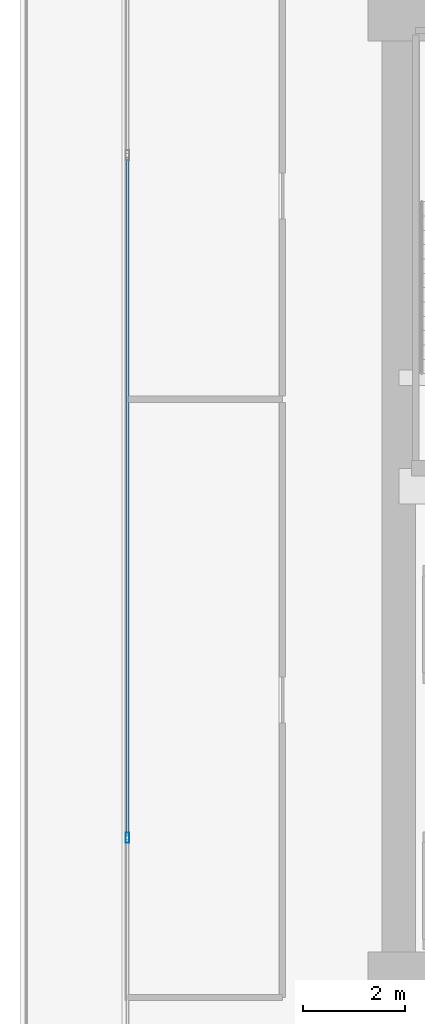
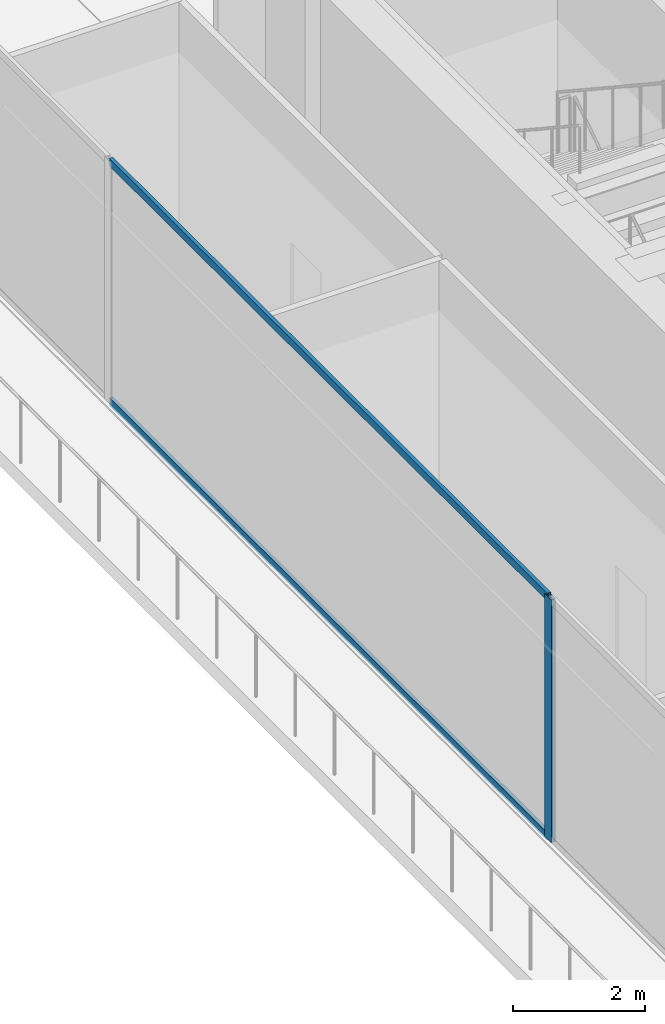
# One storey, part 6 of 33: 3 members, 1 element without a shape of its own.
"""IFC4 building model written with IfcOpenShell, lengths in metres."""

import ifcopenshell
import ifcopenshell.guid

model = None  # the IFC model being written
_history = None  # IfcOwnerHistory: only IFC2X3 demands one
_inside = {}  # id of a spatial element -> (the spatial element, [elements in it])
_under = {}  # id of a project, library or spatial element -> (it, [spatial elements below it])
_declared = {}  # id of a project -> (the project, [libraries it declares])
_typed = {}  # id of a type object -> (the type object, [elements of that type])
_made_of = {}  # id of a material, layer set ... -> (it, [elements and type objects made of it])


def new_model(schema):
    """Start an empty IFC model of exactly this schema.

    Asked for "IFC4X3", IfcOpenShell would pick the latest addendum, in which some entities
    have other attributes; the version numbers below select the first issue.
    IFC2X3 requires an IfcOwnerHistory on every rooted entity: one is made here for all.
    """
    global model, _history
    if schema == "IFC4X3":
        model = ifcopenshell.file(schema_version=(4, 3, 0, 0))
    else:
        model = ifcopenshell.file(schema=schema)
    _inside.clear()
    _under.clear()
    _declared.clear()
    _typed.clear()
    _made_of.clear()
    _history = None
    if model.schema == "IFC2X3":
        org = make("IfcOrganization", Name="unknown")
        user = make(
            "IfcPersonAndOrganization",
            ThePerson=make("IfcPerson", FamilyName="unknown"),
            TheOrganization=org,
        )
        app = make(
            "IfcApplication",
            ApplicationDeveloper=org,
            Version="unknown",
            ApplicationFullName="unknown",
            ApplicationIdentifier="unknown",
        )
        _history = make(
            "IfcOwnerHistory",
            OwningUser=user,
            OwningApplication=app,
            ChangeAction="ADDED",
            CreationDate=0,
        )
    return model


def make(cls, **values):
    """One entity of the class cls with the attributes given. An attribute that is None is left unset."""
    return model.create_entity(
        cls, **{name: value for name, value in values.items() if value is not None}
    )


def rooted(cls, **values):
    """An entity with a GlobalId (a new one), such as an element, a storey or a relation."""
    return make(cls, GlobalId=ifcopenshell.guid.new(), OwnerHistory=_history, **values)


def si_unit(unit_type, name, prefix=None):
    """IfcSIUnit, for example si_unit("LENGTHUNIT", "METRE", prefix="MILLI")."""
    return make("IfcSIUnit", UnitType=unit_type, Prefix=prefix, Name=name)


def assignment(units):
    """IfcUnitAssignment: the units of a project."""
    return None if units is None else make("IfcUnitAssignment", Units=units)


def point(xyz):
    """IfcCartesianPoint."""
    return None if xyz is None else make("IfcCartesianPoint", Coordinates=xyz)


def direction(xyz):
    """IfcDirection."""
    return None if xyz is None else make("IfcDirection", DirectionRatios=xyz)


def frame(location, z_axis=None, x_axis=None):
    """IfcAxis2Placement3D, a coordinate frame: its origin and axes. An axis left out is left unset."""
    return make(
        "IfcAxis2Placement3D",
        Location=point(location),
        Axis=direction(z_axis),
        RefDirection=direction(x_axis),
    )


def frame_2d(location, x_axis=None):
    """IfcAxis2Placement2D, a coordinate frame in the plane: its origin and x axis."""
    return make(
        "IfcAxis2Placement2D", Location=point(location), RefDirection=direction(x_axis)
    )


def origin():
    """The frame at (0, 0, 0) with its axes left unset."""
    return frame((0.0, 0.0, 0.0))


def origin_2d():
    """The frame at (0, 0) in the plane with its x axis left unset."""
    return frame_2d((0.0, 0.0))


def place(relative_to, where):
    """IfcLocalPlacement: puts the frame where relative to a parent placement (None: the world)."""
    return make(
        "IfcLocalPlacement", PlacementRelTo=relative_to, RelativePlacement=where
    )


def context(
    kind, dimensions, precision=None, world=None, true_north=None, identifier=None
):
    """IfcGeometricRepresentationContext, for example the 3D "Model" context."""
    return make(
        "IfcGeometricRepresentationContext",
        ContextIdentifier=identifier,
        ContextType=kind,
        CoordinateSpaceDimension=dimensions,
        Precision=precision,
        WorldCoordinateSystem=world,
        TrueNorth=true_north,
    )


def subcontext(parent, identifier, kind, view, scale=None):
    """IfcGeometricRepresentationSubContext, for example "Body" below "Model"."""
    return make(
        "IfcGeometricRepresentationSubContext",
        ContextIdentifier=identifier,
        ContextType=kind,
        ParentContext=parent,
        TargetScale=scale,
        TargetView=view,
    )


def project(units=None, contexts=None):
    """IfcProject with its units and contexts."""
    return rooted(
        "IfcProject",
        Name="project",
        RepresentationContexts=contexts,
        UnitsInContext=assignment(units),
    )


def spatial(cls, under=None, at=None, **own):
    """A site, building, storey or space (cls), placed at a placement, below another one or the project."""
    s = rooted(cls, ObjectPlacement=at, **own)
    if under is not None:
        _under.setdefault(under.id(), (under, []))[1].append(s)
    return s


def profile(cls, at=None, kind="AREA", **sizes):
    """A parametric profile (cls). Its sizes go by their IFC names, for example OverallWidth=200.0."""
    return make(cls, ProfileType=kind, Position=at, **sizes)


def hollow_rectangle(**sizes):
    """IfcRectangleHollowProfileDef."""
    return profile("IfcRectangleHollowProfileDef", **sizes)


def extrude(swept, where, along, depth):
    """IfcExtrudedAreaSolid: the profile swept, set in the frame where, extruded along a direction by depth."""
    return make(
        "IfcExtrudedAreaSolid",
        SweptArea=swept,
        Position=where,
        ExtrudedDirection=direction(along),
        Depth=depth,
    )


def shape(context_of_items, identifier, shape_type, items):
    """IfcShapeRepresentation: the items that make up one representation, for example the "Body"."""
    return make(
        "IfcShapeRepresentation",
        ContextOfItems=context_of_items,
        RepresentationIdentifier=identifier,
        RepresentationType=shape_type,
        Items=items,
    )


def source(mapping_origin, context_of_items, identifier, shape_type, items):
    """IfcRepresentationMap: a shape defined once, which mapped items show again and again."""
    return make(
        "IfcRepresentationMap",
        MappingOrigin=mapping_origin,
        MappedRepresentation=shape(context_of_items, identifier, shape_type, items),
    )


def transform(
    local_origin,
    x_axis=None,
    y_axis=None,
    z_axis=None,
    scale=None,
    scale2=None,
    scale3=None,
    uniform=True,
):
    """IfcCartesianTransformationOperator3D, or its non-uniform kind. x_axis, y_axis, z_axis: its Axis1, 2, 3."""
    if uniform:
        return make(
            "IfcCartesianTransformationOperator3D",
            Axis1=direction(x_axis),
            Axis2=direction(y_axis),
            LocalOrigin=point(local_origin),
            Scale=scale,
            Axis3=direction(z_axis),
        )
    return make(
        "IfcCartesianTransformationOperator3DnonUniform",
        Axis1=direction(x_axis),
        Axis2=direction(y_axis),
        LocalOrigin=point(local_origin),
        Scale=scale,
        Axis3=direction(z_axis),
        Scale2=scale2,
        Scale3=scale3,
    )


def mapped(mapping_source, mapping_target):
    """IfcMappedItem: shows the shape of a source again, moved by a transform."""
    return make(
        "IfcMappedItem", MappingSource=mapping_source, MappingTarget=mapping_target
    )


def material(Name=None, Category=None):
    """IfcMaterial."""
    return make("IfcMaterial", Name=Name, Category=Category)


def layer(
    of_material, thickness, ventilated=None, Name=None, Category=None, Priority=None
):
    """IfcMaterialLayer: one layer of a wall or slab, of a material (None: an air gap)."""
    return make(
        "IfcMaterialLayer",
        Material=of_material,
        LayerThickness=thickness,
        IsVentilated=ventilated,
        Name=Name,
        Category=Category,
        Priority=Priority,
    )


def layer_set(layers, Name=None):
    """IfcMaterialLayerSet."""
    return make("IfcMaterialLayerSet", MaterialLayers=layers, LayerSetName=Name)


def material_profile(
    of_material, cross_section, Name=None, Category=None, Priority=None
):
    """IfcMaterialProfile: a cross section and its material."""
    return make(
        "IfcMaterialProfile",
        Name=Name,
        Material=of_material,
        Profile=cross_section,
        Priority=Priority,
        Category=Category,
    )


def profile_set(profiles, Name=None, composite=None):
    """IfcMaterialProfileSet."""
    return make(
        "IfcMaterialProfileSet",
        Name=Name,
        MaterialProfiles=profiles,
        CompositeProfile=composite,
    )


def made_of(thing, what):
    """Note that an element or type object is made of a material, layer set ...; save() writes the relation."""
    if what is not None:
        _made_of.setdefault(what.id(), (what, []))[1].append(thing)
    return thing


def type_object(cls, material=None, **own):
    """A type object (cls), such as IfcWallType, which elements share."""
    return made_of(rooted(cls, **own), material)


def type_shapes(of_type, sources):
    """Give a type object the sources (RepresentationMaps) that its elements show as mapped items."""
    of_type.RepresentationMaps = sources


def element(
    cls,
    number,
    at=None,
    inside=None,
    cuts=None,
    type_object=None,
    material=None,
    context=None,
    identifier="Body",
    shape_type=None,
    held_by="IfcProductDefinitionShape",
    body=None,
    shapes=None,
    **own,
):
    """One element of the class cls, such as IfcWall. Its Tag is "e" and its number.

    at: its placement. inside: the storey or other place that contains it. cuts: it is an
    opening in that element (IfcRelVoidsElement). A single representation is given by context,
    identifier, shape_type and body (its items); several are given by shapes. held_by: the class
    of the entity that holds the representations. save() writes the other relations.
    """
    e = rooted(cls, Tag="e%d" % number, ObjectPlacement=at, **own)
    if body is not None:
        shapes = [shape(context, identifier, shape_type, body)]
    if shapes is not None:
        e.Representation = make(held_by, Representations=shapes)
    if inside is not None:
        _inside.setdefault(inside.id(), (inside, []))[1].append(e)
    if cuts is not None:
        rooted(
            "IfcRelVoidsElement", RelatingBuildingElement=cuts, RelatedOpeningElement=e
        )
    if type_object is not None:
        _typed.setdefault(type_object.id(), (type_object, []))[1].append(e)
    return made_of(e, material)


def aggregate(whole, parts):
    """IfcRelAggregates: a whole, such as a stair, and the parts it consists of."""
    return rooted("IfcRelAggregates", RelatingObject=whole, RelatedObjects=parts)


def save(model, path):
    """Write the relations noted so far, then the file.

    IfcRelAggregates (storeys below a building ...), IfcRelContainedInSpatialStructure (elements
    in a storey), IfcRelDefinesByType, IfcRelAssociatesMaterial and IfcRelDeclares: one each for
    every whole, place, type object, material and project.
    """
    for whole, parts in _under.values():
        aggregate(whole, parts)
    for where, things in _inside.values():
        rooted(
            "IfcRelContainedInSpatialStructure",
            RelatedElements=things,
            RelatingStructure=where,
        )
    for kind, things in _typed.values():
        rooted("IfcRelDefinesByType", RelatedObjects=things, RelatingType=kind)
    for what, things in _made_of.values():
        rooted("IfcRelAssociatesMaterial", RelatedObjects=things, RelatingMaterial=what)
    for by, libraries in _declared.values():
        rooted("IfcRelDeclares", RelatingContext=by, RelatedDefinitions=libraries)
    model.write(path)


model = new_model("IFC4")

# Units and contexts
model_context = context("Model", 3, precision=1e-05, world=origin(), true_north=direction((0.0, 1.0)))
body_context = subcontext(model_context, "Body", "Model", "MODEL_VIEW")
ifc_project = project(units=[si_unit("LENGTHUNIT", "METRE"), si_unit("AREAUNIT", "SQUARE_METRE"), si_unit("VOLUMEUNIT", "CUBIC_METRE"), si_unit("PLANEANGLEUNIT", "RADIAN"), si_unit("MASSUNIT", "GRAM", prefix="KILO")], contexts=[model_context])

# Site, building, storey
site_placement = place(None, origin())
site = spatial("IfcSite", under=ifc_project, at=site_placement, CompositionType="ELEMENT")
building_placement = place(site_placement, origin())
building = spatial("IfcBuilding", under=site, at=building_placement, Name="Haelvirn Gate Laboratories", CompositionType="ELEMENT")
storey_placement = place(building_placement, frame((0.0, 0.0, 100.300048828125)))
storey = spatial("IfcBuildingStorey", under=building, at=storey_placement, Name="L24", CompositionType="ELEMENT", Elevation=100.300048828125)

# Curtain wall, members
ifc_material_1 = material(Name="Anodised bronze unitised aluminium & triple low-E glass", Category="aluminium")
ifc_layer = layer(ifc_material_1, 0.179931640625, Name="CW-SYS-3")
ifc_layer_set = layer_set([ifc_layer], Name="Anodised bronze unitised aluminium & triple low-E glass")
curtain_wall_type = type_object("IfcCurtainWallType", Name="CW-SYS-3", PredefinedType="NOTDEFINED", material=ifc_layer_set)
curtain_wall_placement = place(storey_placement, origin())
curtain_wall = element("IfcCurtainWall", 1, at=curtain_wall_placement, inside=storey, type_object=curtain_wall_type, Name="L24 Unitised Curtain Wall CW-L24-P0-E17", PredefinedType="NOTDEFINED")
ifc_material_2 = material(Name="Extruded aluminium 6063-T6 (anodised bronze)", Category="aluminium")
ifc_material_profile_1 = material_profile(ifc_material_2, hollow_rectangle(XDim=0.074951171875, YDim=0.199951171875, WallThickness=0.0048828125, at=origin_2d()), Name="CWM-200x75x5")
ifc_profile_set_1 = profile_set([ifc_material_profile_1], Name="Extruded aluminium 6063-T6 (anodised bronze)")
member_type_1 = type_object("IfcMemberType", Name="CWM-T200", PredefinedType="MULLION", material=ifc_profile_set_1)
shared_shape_1 = source(origin(), body_context, "Body", "SweptSolid", [
    extrude(hollow_rectangle(XDim=0.074951171875, YDim=0.199951171875, WallThickness=0.0048828125, at=origin_2d()), origin(), (0.0, 0.0, 1.0), 4.489990234375),
])
type_shapes(member_type_1, [shared_shape_1])
member_1_placement = place(storey_placement, frame((2.10009765625, 17.63330078125, 0.0), z_axis=(0.0, 0.0, 1.0), x_axis=(1.0, 0.0, 0.0)))
member_1 = element("IfcMember", 2, at=member_1_placement, type_object=member_type_1, Name="CW3 mullion 3", PredefinedType="MULLION", context=body_context, shape_type="MappedRepresentation", body=[
    mapped(shared_shape_1, transform((0.0, 0.0, 0.0), scale=1.0)),
])
ifc_material_profile_2 = material_profile(ifc_material_2, hollow_rectangle(XDim=0.06494140625, YDim=0.139892578125, WallThickness=0.00390625, at=origin_2d()), Name="CWT-140x65x4")
ifc_profile_set_2 = profile_set([ifc_material_profile_2], Name="Extruded aluminium 6063-T6 (anodised bronze)")
member_type_2 = type_object("IfcMemberType", Name="CWT-T140", PredefinedType="USERDEFINED", material=ifc_profile_set_2)
shared_shape_2 = source(origin(), body_context, "Body", "SweptSolid", [
    extrude(hollow_rectangle(XDim=0.06494140625, YDim=0.139892578125, WallThickness=0.00390625, at=origin_2d()), origin(), (0.0, 0.0, 1.0), 13.25830078125),
])
type_shapes(member_type_2, [shared_shape_2])
member_2_placement = place(storey_placement, frame((2.10009765625, 30.92919921875, 0.032470703125), z_axis=(0.0, -1.0, 0.0), x_axis=(1.0, 0.0, 0.0)))
member_2 = element("IfcMember", 3, at=member_2_placement, type_object=member_type_2, Name="CW3 transom 2.1", ObjectType="TRANSOM", PredefinedType="USERDEFINED", context=body_context, shape_type="MappedRepresentation", body=[
    mapped(shared_shape_2, transform((0.0, 0.0, 0.0), scale=1.0)),
])
member_3_placement = place(storey_placement, frame((2.10009765625, 30.92919921875, 4.45751953125), z_axis=(0.0, -1.0, 0.0), x_axis=(1.0, 0.0, 0.0)))
member_3 = element("IfcMember", 4, at=member_3_placement, type_object=member_type_2, Name="CW3 transom 2.2", ObjectType="TRANSOM", PredefinedType="USERDEFINED", context=body_context, shape_type="MappedRepresentation", body=[
    mapped(shared_shape_2, transform((0.0, 0.0, 0.0), scale=1.0)),
])
aggregate(curtain_wall, [member_1, member_2, member_3])

save(model, "model.ifc")
